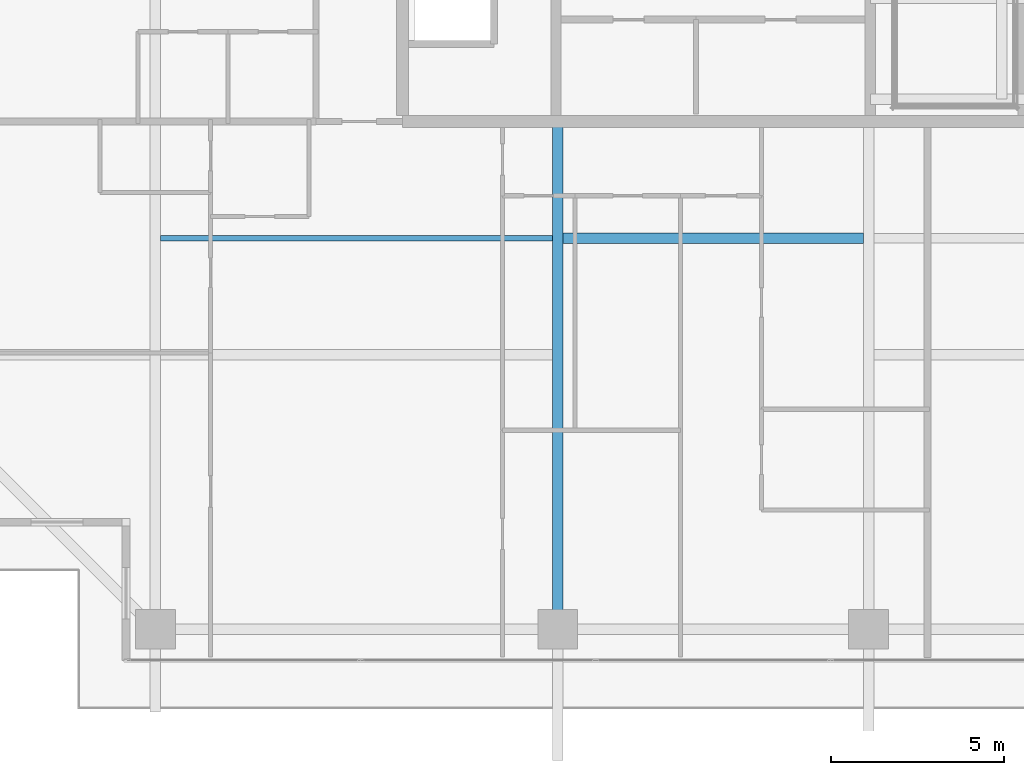
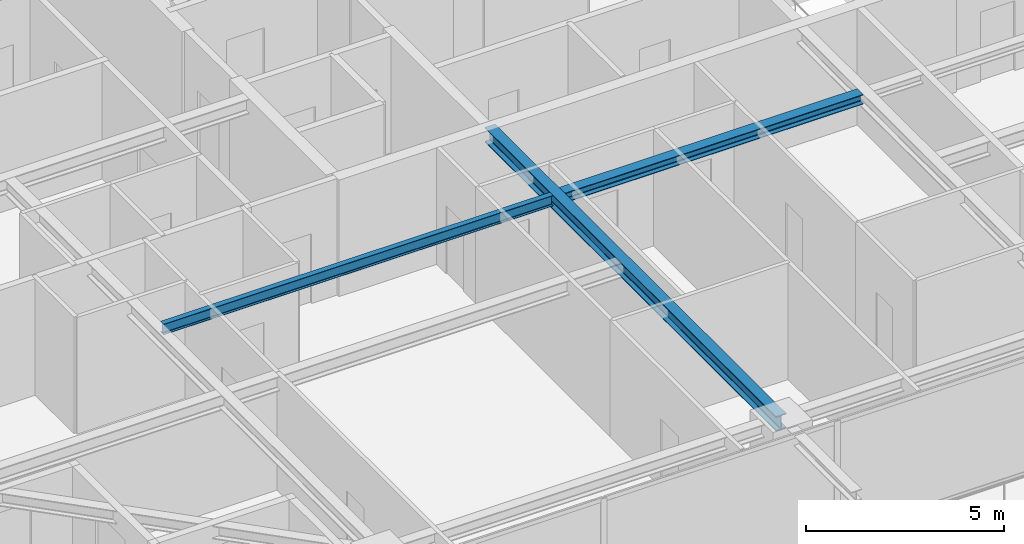
# One storey, part 7 of 38: 3 beams.
"""IFC4 building model written with IfcOpenShell, lengths in metres."""

from ifc_helpers import new_model, si_unit, direction, frame, origin, origin_2d, place, context, subcontext, project, spatial, i_section, extrude, source, transform, mapped, material, material_profile, profile_set, type_object, element, save


model = new_model("IFC4")

# Units and contexts
model_context = context("Model", 3, precision=1e-05, world=origin(), true_north=direction((0.0, 1.0)))
body_context = subcontext(model_context, "Body", "Model", "MODEL_VIEW")
ifc_project = project(units=[si_unit("LENGTHUNIT", "METRE"), si_unit("AREAUNIT", "SQUARE_METRE"), si_unit("VOLUMEUNIT", "CUBIC_METRE"), si_unit("PLANEANGLEUNIT", "RADIAN"), si_unit("MASSUNIT", "GRAM", prefix="KILO")], contexts=[model_context])

# Site, building, storey
site_placement = place(None, origin())
site = spatial("IfcSite", under=ifc_project, at=site_placement, CompositionType="ELEMENT")
building_placement = place(site_placement, origin())
building = spatial("IfcBuilding", under=site, at=building_placement, Name="Serunith Strait Residences", CompositionType="ELEMENT")
storey_placement = place(building_placement, frame((0.0, 0.0, 268.199951171875)))
storey = spatial("IfcBuildingStorey", under=building, at=storey_placement, Name="L67", CompositionType="ELEMENT", Elevation=268.199951171875)

# Beams
ifc_material = material(Name="Steel S355J2", Category="steel")
ifc_material_profile_1 = material_profile(ifc_material, i_section(OverallWidth=0.300048828125, OverallDepth=0.300048828125, WebThickness=0.010986328125, FlangeThickness=0.01904296875, FilletRadius=0.027099609375, at=origin_2d()), Name="HEB 300")
ifc_profile_set_1 = profile_set([ifc_material_profile_1], Name="Steel S355J2")
beam_type_1 = type_object("IfcBeamType", Name="BM-HEB300", PredefinedType="JOIST", material=ifc_profile_set_1)
shared_shape_1 = source(origin(), body_context, "Body", "SweptSolid", [
    extrude(i_section(OverallWidth=0.300048828125, OverallDepth=0.300048828125, WebThickness=0.010986328125, FlangeThickness=0.01904296875, FilletRadius=0.027099609375, at=origin_2d()), origin(), (0.0, 0.0, 1.0), 8.699951171875),
])
beam_1_placement = place(storey_placement, frame((28.050048828125, 13.425048828125, 3.43701171875), z_axis=(1.0, 0.0, 0.0), x_axis=(0.0, 1.0, 0.0)))
element("IfcBeam", 1, at=beam_1_placement, inside=storey, type_object=beam_type_1, Name="L67 Composite Floor Joist 02", PredefinedType="JOIST", context=body_context, shape_type="MappedRepresentation", body=[
    mapped(shared_shape_1, transform((0.0, 0.0, 0.0), scale=1.0)),
])
ifc_material_profile_2 = material_profile(ifc_material, i_section(OverallWidth=0.300048828125, OverallDepth=0.449951171875, WebThickness=0.013916015625, FlangeThickness=0.02587890625, FilletRadius=0.027099609375, at=origin_2d()), Name="HEB 450")
ifc_profile_set_2 = profile_set([ifc_material_profile_2], Name="Steel S355J2")
beam_type_2 = type_object("IfcBeamType", Name="BM-HEB450", PredefinedType="BEAM", material=ifc_profile_set_2)
shared_shape_2 = source(origin(), body_context, "Body", "SweptSolid", [
    extrude(i_section(OverallWidth=0.300048828125, OverallDepth=0.449951171875, WebThickness=0.013916015625, FlangeThickness=0.02587890625, FilletRadius=0.027099609375, at=origin_2d()), origin(), (0.0, 0.0, 1.0), 14.699951171875),
])
beam_2_placement = place(storey_placement, frame((27.89990234375, 16.800048828125, 3.362060546875), z_axis=(0.0, -1.0, 0.0), x_axis=(1.0, 0.0, 0.0)))
element("IfcBeam", 2, at=beam_2_placement, inside=storey, type_object=beam_type_2, Name="L67 Primary Floor Girder TC-S2", PredefinedType="BEAM", context=body_context, shape_type="MappedRepresentation", body=[
    mapped(shared_shape_2, transform((0.0, 0.0, 0.0), scale=1.0)),
])
ifc_material_profile_3 = material_profile(ifc_material, i_section(OverallWidth=0.159912109375, OverallDepth=0.330078125, WebThickness=0.007568359375, FlangeThickness=0.011474609375, FilletRadius=0.01806640625, at=origin_2d()), Name="IPE 330")
ifc_profile_set_3 = profile_set([ifc_material_profile_3], Name="Steel S355J2")
beam_type_3 = type_object("IfcBeamType", Name="BM-IPE330", PredefinedType="JOIST", material=ifc_profile_set_3)
shared_shape_3 = source(origin(), body_context, "Body", "SweptSolid", [
    extrude(i_section(OverallWidth=0.159912109375, OverallDepth=0.330078125, WebThickness=0.007568359375, FlangeThickness=0.011474609375, FilletRadius=0.01806640625, at=origin_2d()), origin(), (0.0, 0.0, 1.0), 11.35009765625),
])
beam_3_placement = place(storey_placement, frame((16.39990234375, 13.425048828125, 3.422119140625), z_axis=(1.0, 0.0, 0.0), x_axis=(0.0, 1.0, 0.0)))
element("IfcBeam", 3, at=beam_3_placement, inside=storey, type_object=beam_type_3, Name="L67 Composite Floor Joist 01", PredefinedType="JOIST", context=body_context, shape_type="MappedRepresentation", body=[
    mapped(shared_shape_3, transform((0.0, 0.0, 0.0), scale=1.0)),
])

save(model, "model.ifc")
